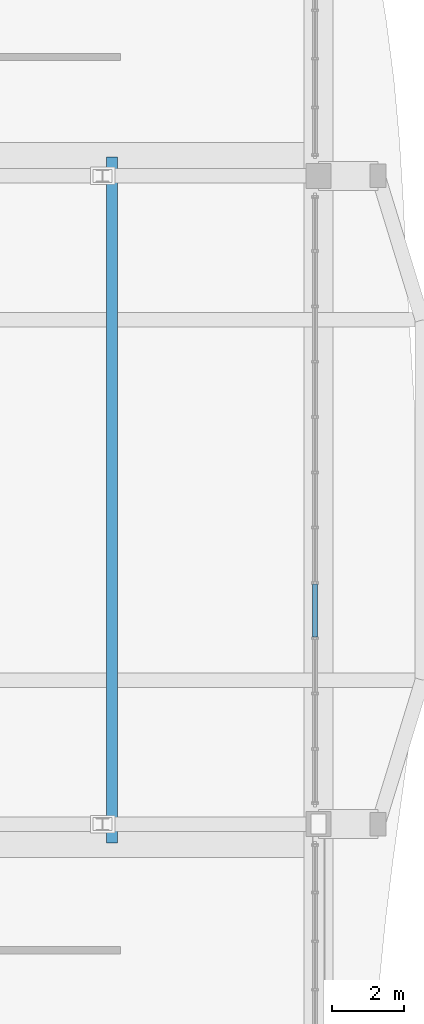
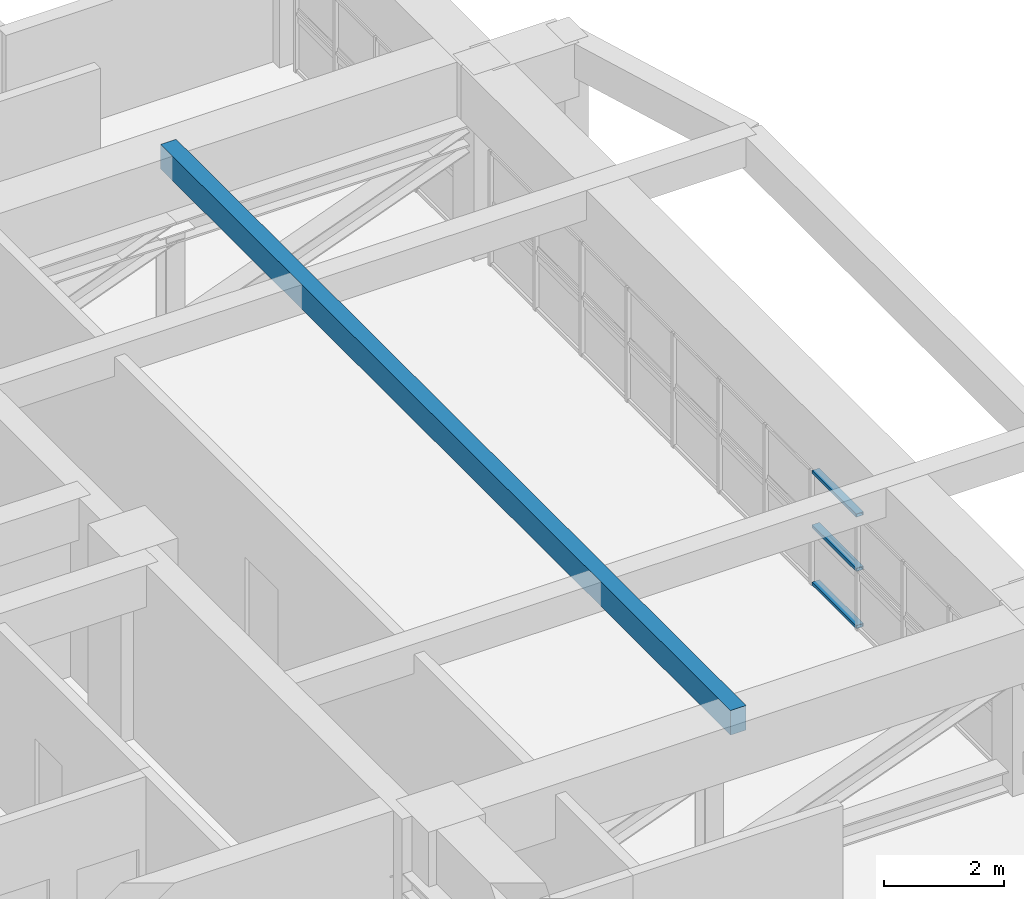
# One storey, part 11 of 25: 3 members, 1 beam, 1 element without a shape of its own.
"""IFC4 building model written with IfcOpenShell, lengths in metres."""

from ifc_helpers import new_model, si_unit, direction, frame, origin, origin_2d, place, context, subcontext, project, spatial, rectangle, hollow_rectangle, extrude, source, transform, mapped, material, layer, layer_set, material_profile, profile_set, type_object, element, aggregate, save


model = new_model("IFC4")

# Units and contexts
model_context = context("Model", 3, precision=1e-05, world=origin(), true_north=direction((0.0, 1.0)))
body_context = subcontext(model_context, "Body", "Model", "MODEL_VIEW")
ifc_project = project(units=[si_unit("LENGTHUNIT", "METRE"), si_unit("AREAUNIT", "SQUARE_METRE"), si_unit("VOLUMEUNIT", "CUBIC_METRE"), si_unit("PLANEANGLEUNIT", "RADIAN"), si_unit("MASSUNIT", "GRAM", prefix="KILO")], contexts=[model_context])

# Site, building, storey
site_placement = place(None, origin())
site = spatial("IfcSite", under=ifc_project, at=site_placement, CompositionType="ELEMENT")
building_placement = place(site_placement, origin())
building = spatial("IfcBuilding", under=site, at=building_placement, Name="Saelheon Loggia Tower", CompositionType="ELEMENT")
storey_placement = place(building_placement, frame((0.0, 0.0, 206.5)))
storey = spatial("IfcBuildingStorey", under=building, at=storey_placement, Name="L64", CompositionType="ELEMENT", Elevation=206.5)

# Beam
ifc_material_1 = material(Name="Concrete C40/50", Category="concrete")
ifc_material_profile_1 = material_profile(ifc_material_1, rectangle(XDim=0.300048828125, YDim=0.5, at=origin_2d()), Name="RC-300x500")
ifc_profile_set_1 = profile_set([ifc_material_profile_1], Name="Concrete C40/50")
beam_type = type_object("IfcBeamType", Name="Beam_Joist_RC300x500", PredefinedType="JOIST", material=ifc_profile_set_1)
shared_shape_1 = source(origin(), body_context, "Body", "SweptSolid", [
    extrude(rectangle(XDim=0.300048828125, YDim=0.5, at=origin_2d()), origin(), (0.0, 0.0, 1.0), 19.0400390625),
])
beam_placement = place(storey_placement, frame((50.760009765625, 17.47998046875, 3.550048828125), z_axis=(0.0, 1.0, 0.0), x_axis=(-1.0, 0.0, 0.0)))
element("IfcBeam", 1, at=beam_placement, inside=storey, type_object=beam_type, Name="L64 East Floor Joist", PredefinedType="JOIST", context=body_context, shape_type="MappedRepresentation", body=[
    mapped(shared_shape_1, transform((0.0, 0.0, 0.0), scale=1.0)),
])

# Curtain wall, members
ifc_material_2 = material(Name="Anodised Aluminium Acoustic Louvre Curtain Wall", Category="aluminium")
ifc_layer = layer(ifc_material_2, 0.179931640625)
ifc_layer_set = layer_set([ifc_layer], Name="Anodised Aluminium Acoustic Louvre Curtain Wall")
curtain_wall_type = type_object("IfcCurtainWallType", Name="CW_RefugeAcoustic", PredefinedType="NOTDEFINED", material=ifc_layer_set)
curtain_wall_placement = place(storey_placement, origin())
curtain_wall = element("IfcCurtainWall", 2, at=curtain_wall_placement, inside=storey, type_object=curtain_wall_type, Name="L64 E Refuge Acoustic Curtain Wall 2", PredefinedType="NOTDEFINED")
ifc_material_3 = material(Name="Anodised Aluminium 6063-T6", Category="aluminium")
ifc_material_profile_2 = material_profile(ifc_material_3, hollow_rectangle(XDim=0.06494140625, YDim=0.139892578125, WallThickness=0.00390625, at=origin_2d()), Name="RHS-140x65x4")
ifc_profile_set_2 = profile_set([ifc_material_profile_2], Name="Anodised Aluminium 6063-T6")
member_type = type_object("IfcMemberType", Name="CW_RefugeAcoustic_Transom", PredefinedType="USERDEFINED", material=ifc_profile_set_2)
shared_shape_2 = source(origin(), body_context, "Body", "SweptSolid", [
    extrude(hollow_rectangle(XDim=0.06494140625, YDim=0.139892578125, WallThickness=0.00390625, at=origin_2d()), origin(), (0.0, 0.0, 1.0), 1.47119140625),
])
member_1_placement = place(storey_placement, frame((56.39990234375, 23.191650390625, 0.032470703125), z_axis=(0.0, 1.0, 0.0), x_axis=(0.0, 0.0, 1.0)))
member_1 = element("IfcMember", 3, at=member_1_placement, type_object=member_type, Name="CW5 transom 4.1", ObjectType="TRANSOM", PredefinedType="USERDEFINED", context=body_context, shape_type="MappedRepresentation", body=[
    mapped(shared_shape_2, transform((0.0, 0.0, 0.0), scale=1.0)),
])
member_2_placement = place(storey_placement, frame((56.39990234375, 23.191650390625, 1.199951171875), z_axis=(0.0, 1.0, 0.0), x_axis=(0.0, 0.0, 1.0)))
member_2 = element("IfcMember", 4, at=member_2_placement, type_object=member_type, Name="CW5 transom 4.2", ObjectType="TRANSOM", PredefinedType="USERDEFINED", context=body_context, shape_type="MappedRepresentation", body=[
    mapped(shared_shape_2, transform((0.0, 0.0, 0.0), scale=1.0)),
])
member_3_placement = place(storey_placement, frame((56.39990234375, 23.191650390625, 2.3076171875), z_axis=(0.0, 1.0, 0.0), x_axis=(0.0, 0.0, 1.0)))
member_3 = element("IfcMember", 5, at=member_3_placement, type_object=member_type, Name="CW5 transom 4.3", ObjectType="TRANSOM", PredefinedType="USERDEFINED", context=body_context, shape_type="MappedRepresentation", body=[
    mapped(shared_shape_2, transform((0.0, 0.0, 0.0), scale=1.0)),
])
aggregate(curtain_wall, [member_1, member_2, member_3])

save(model, "model.ifc")
